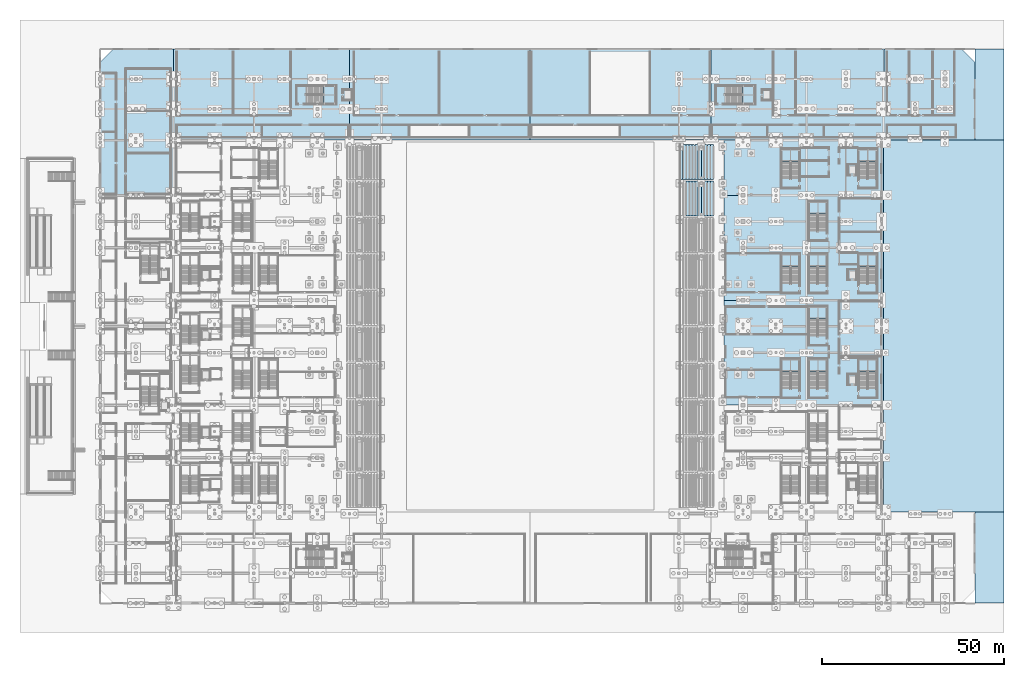
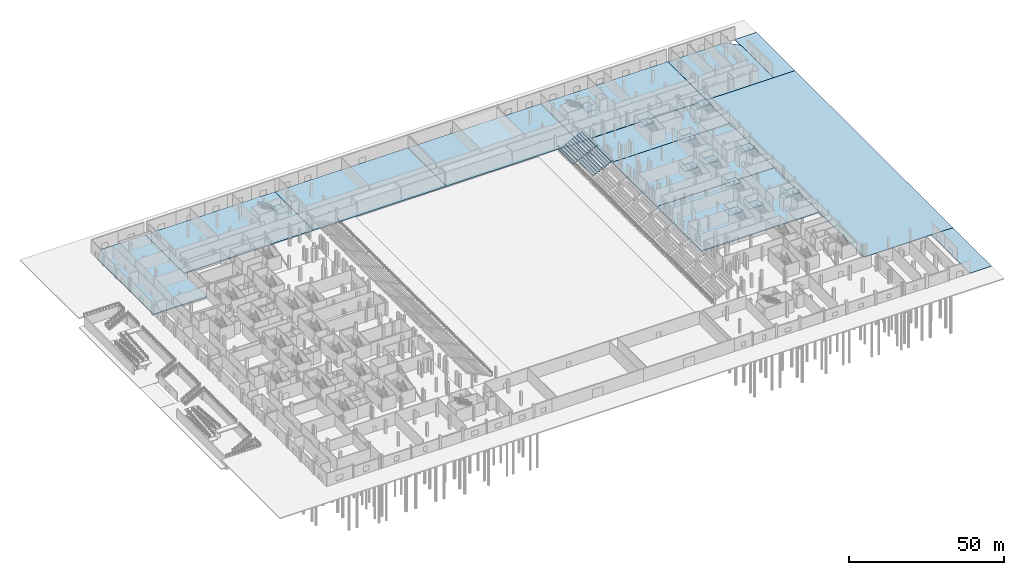
# One storey, part 27 of 89: 44 slabs, 12 elements without a shape of their own.
"""IFC4 building model written with IfcOpenShell, lengths in metres."""

import ifcopenshell
import ifcopenshell.guid

model = None  # the IFC model being written
_history = None  # IfcOwnerHistory: only IFC2X3 demands one
_inside = {}  # id of a spatial element -> (the spatial element, [elements in it])
_under = {}  # id of a project, library or spatial element -> (it, [spatial elements below it])
_declared = {}  # id of a project -> (the project, [libraries it declares])
_typed = {}  # id of a type object -> (the type object, [elements of that type])
_made_of = {}  # id of a material, layer set ... -> (it, [elements and type objects made of it])


def new_model(schema):
    """Start an empty IFC model of exactly this schema.

    Asked for "IFC4X3", IfcOpenShell would pick the latest addendum, in which some entities
    have other attributes; the version numbers below select the first issue.
    IFC2X3 requires an IfcOwnerHistory on every rooted entity: one is made here for all.
    """
    global model, _history
    if schema == "IFC4X3":
        model = ifcopenshell.file(schema_version=(4, 3, 0, 0))
    else:
        model = ifcopenshell.file(schema=schema)
    _inside.clear()
    _under.clear()
    _declared.clear()
    _typed.clear()
    _made_of.clear()
    _history = None
    if model.schema == "IFC2X3":
        org = make("IfcOrganization", Name="unknown")
        user = make(
            "IfcPersonAndOrganization",
            ThePerson=make("IfcPerson", FamilyName="unknown"),
            TheOrganization=org,
        )
        app = make(
            "IfcApplication",
            ApplicationDeveloper=org,
            Version="unknown",
            ApplicationFullName="unknown",
            ApplicationIdentifier="unknown",
        )
        _history = make(
            "IfcOwnerHistory",
            OwningUser=user,
            OwningApplication=app,
            ChangeAction="ADDED",
            CreationDate=0,
        )
    return model


def make(cls, **values):
    """One entity of the class cls with the attributes given. An attribute that is None is left unset."""
    return model.create_entity(
        cls, **{name: value for name, value in values.items() if value is not None}
    )


def rooted(cls, **values):
    """An entity with a GlobalId (a new one), such as an element, a storey or a relation."""
    return make(cls, GlobalId=ifcopenshell.guid.new(), OwnerHistory=_history, **values)


def si_unit(unit_type, name, prefix=None):
    """IfcSIUnit, for example si_unit("LENGTHUNIT", "METRE", prefix="MILLI")."""
    return make("IfcSIUnit", UnitType=unit_type, Prefix=prefix, Name=name)


def assignment(units):
    """IfcUnitAssignment: the units of a project."""
    return None if units is None else make("IfcUnitAssignment", Units=units)


def point(xyz):
    """IfcCartesianPoint."""
    return None if xyz is None else make("IfcCartesianPoint", Coordinates=xyz)


def direction(xyz):
    """IfcDirection."""
    return None if xyz is None else make("IfcDirection", DirectionRatios=xyz)


def frame(location, z_axis=None, x_axis=None):
    """IfcAxis2Placement3D, a coordinate frame: its origin and axes. An axis left out is left unset."""
    return make(
        "IfcAxis2Placement3D",
        Location=point(location),
        Axis=direction(z_axis),
        RefDirection=direction(x_axis),
    )


def origin():
    """The frame at (0, 0, 0) with its axes left unset."""
    return frame((0.0, 0.0, 0.0))


def place(relative_to, where):
    """IfcLocalPlacement: puts the frame where relative to a parent placement (None: the world)."""
    return make(
        "IfcLocalPlacement", PlacementRelTo=relative_to, RelativePlacement=where
    )


def context(
    kind, dimensions, precision=None, world=None, true_north=None, identifier=None
):
    """IfcGeometricRepresentationContext, for example the 3D "Model" context."""
    return make(
        "IfcGeometricRepresentationContext",
        ContextIdentifier=identifier,
        ContextType=kind,
        CoordinateSpaceDimension=dimensions,
        Precision=precision,
        WorldCoordinateSystem=world,
        TrueNorth=true_north,
    )


def subcontext(parent, identifier, kind, view, scale=None):
    """IfcGeometricRepresentationSubContext, for example "Body" below "Model"."""
    return make(
        "IfcGeometricRepresentationSubContext",
        ContextIdentifier=identifier,
        ContextType=kind,
        ParentContext=parent,
        TargetScale=scale,
        TargetView=view,
    )


def project(units=None, contexts=None):
    """IfcProject with its units and contexts."""
    return rooted(
        "IfcProject",
        Name="project",
        RepresentationContexts=contexts,
        UnitsInContext=assignment(units),
    )


def spatial(cls, under=None, at=None, **own):
    """A site, building, storey or space (cls), placed at a placement, below another one or the project."""
    s = rooted(cls, ObjectPlacement=at, **own)
    if under is not None:
        _under.setdefault(under.id(), (under, []))[1].append(s)
    return s


def polyline(points):
    """IfcPolyline through the points."""
    return make("IfcPolyline", Points=[point(p) for p in points])


def outline(outer, holes=None, kind="AREA"):
    """IfcArbitraryClosedProfileDef: a profile drawn as a closed curve; with holes, ...WithVoids."""
    if holes is None:
        return make("IfcArbitraryClosedProfileDef", ProfileType=kind, OuterCurve=outer)
    return make(
        "IfcArbitraryProfileDefWithVoids",
        ProfileType=kind,
        OuterCurve=outer,
        InnerCurves=holes,
    )


def extrude(swept, where, along, depth):
    """IfcExtrudedAreaSolid: the profile swept, set in the frame where, extruded along a direction by depth."""
    return make(
        "IfcExtrudedAreaSolid",
        SweptArea=swept,
        Position=where,
        ExtrudedDirection=direction(along),
        Depth=depth,
    )


def shape(context_of_items, identifier, shape_type, items):
    """IfcShapeRepresentation: the items that make up one representation, for example the "Body"."""
    return make(
        "IfcShapeRepresentation",
        ContextOfItems=context_of_items,
        RepresentationIdentifier=identifier,
        RepresentationType=shape_type,
        Items=items,
    )


def material(Name=None, Category=None):
    """IfcMaterial."""
    return make("IfcMaterial", Name=Name, Category=Category)


def layer(
    of_material, thickness, ventilated=None, Name=None, Category=None, Priority=None
):
    """IfcMaterialLayer: one layer of a wall or slab, of a material (None: an air gap)."""
    return make(
        "IfcMaterialLayer",
        Material=of_material,
        LayerThickness=thickness,
        IsVentilated=ventilated,
        Name=Name,
        Category=Category,
        Priority=Priority,
    )


def layer_set(layers, Name=None):
    """IfcMaterialLayerSet."""
    return make("IfcMaterialLayerSet", MaterialLayers=layers, LayerSetName=Name)


def made_of(thing, what):
    """Note that an element or type object is made of a material, layer set ...; save() writes the relation."""
    if what is not None:
        _made_of.setdefault(what.id(), (what, []))[1].append(thing)
    return thing


def type_object(cls, material=None, **own):
    """A type object (cls), such as IfcWallType, which elements share."""
    return made_of(rooted(cls, **own), material)


def element(
    cls,
    number,
    at=None,
    inside=None,
    cuts=None,
    type_object=None,
    material=None,
    context=None,
    identifier="Body",
    shape_type=None,
    held_by="IfcProductDefinitionShape",
    body=None,
    shapes=None,
    **own,
):
    """One element of the class cls, such as IfcWall. Its Tag is "e" and its number.

    at: its placement. inside: the storey or other place that contains it. cuts: it is an
    opening in that element (IfcRelVoidsElement). A single representation is given by context,
    identifier, shape_type and body (its items); several are given by shapes. held_by: the class
    of the entity that holds the representations. save() writes the other relations.
    """
    e = rooted(cls, Tag="e%d" % number, ObjectPlacement=at, **own)
    if body is not None:
        shapes = [shape(context, identifier, shape_type, body)]
    if shapes is not None:
        e.Representation = make(held_by, Representations=shapes)
    if inside is not None:
        _inside.setdefault(inside.id(), (inside, []))[1].append(e)
    if cuts is not None:
        rooted(
            "IfcRelVoidsElement", RelatingBuildingElement=cuts, RelatedOpeningElement=e
        )
    if type_object is not None:
        _typed.setdefault(type_object.id(), (type_object, []))[1].append(e)
    return made_of(e, material)


def aggregate(whole, parts):
    """IfcRelAggregates: a whole, such as a stair, and the parts it consists of."""
    return rooted("IfcRelAggregates", RelatingObject=whole, RelatedObjects=parts)


def save(model, path):
    """Write the relations noted so far, then the file.

    IfcRelAggregates (storeys below a building ...), IfcRelContainedInSpatialStructure (elements
    in a storey), IfcRelDefinesByType, IfcRelAssociatesMaterial and IfcRelDeclares: one each for
    every whole, place, type object, material and project.
    """
    for whole, parts in _under.values():
        aggregate(whole, parts)
    for where, things in _inside.values():
        rooted(
            "IfcRelContainedInSpatialStructure",
            RelatedElements=things,
            RelatingStructure=where,
        )
    for kind, things in _typed.values():
        rooted("IfcRelDefinesByType", RelatedObjects=things, RelatingType=kind)
    for what, things in _made_of.values():
        rooted("IfcRelAssociatesMaterial", RelatedObjects=things, RelatingMaterial=what)
    for by, libraries in _declared.values():
        rooted("IfcRelDeclares", RelatingContext=by, RelatedDefinitions=libraries)
    model.write(path)


model = new_model("IFC4")

# Units and contexts
model_context = context("Model", 3, precision=1e-05, world=origin(), true_north=direction((0.0, 1.0)))
body_context = subcontext(model_context, "Body", "Model", "MODEL_VIEW")
ifc_project = project(units=[si_unit("LENGTHUNIT", "METRE"), si_unit("AREAUNIT", "SQUARE_METRE"), si_unit("VOLUMEUNIT", "CUBIC_METRE"), si_unit("PLANEANGLEUNIT", "RADIAN"), si_unit("MASSUNIT", "GRAM", prefix="KILO")], contexts=[model_context])

# Site, building, storey
site_placement = place(None, origin())
site = spatial("IfcSite", under=ifc_project, at=site_placement, CompositionType="ELEMENT")
building_placement = place(site_placement, origin())
building = spatial("IfcBuilding", under=site, at=building_placement, Name="Koshinbarg Plaza Stadium", CompositionType="ELEMENT")
storey_placement = place(building_placement, origin())
storey = spatial("IfcBuildingStorey", under=building, at=storey_placement, Name="L00", CompositionType="ELEMENT", Elevation=0.0)

# Slabs
ifc_material_1 = material(Name="Concrete C35/45", Category="concrete")
ifc_layer_1 = layer(ifc_material_1, 0.39990234375)
ifc_layer_set_1 = layer_set([ifc_layer_1], Name="Concrete C35/45")
slab_type_1 = type_object("IfcSlabType", Name="SL-BASE-400", PredefinedType="BASESLAB", material=ifc_layer_set_1)
slab_1_placement = place(storey_placement, frame((0.0, 0.0, -0.39990234375)))
element("IfcSlab", 1, at=slab_1_placement, inside=storey, type_object=slab_type_1, Name="L00 V3 structural slab 9", PredefinedType="BASESLAB", context=body_context, shape_type="SweptSolid", body=[
    extrude(outline(polyline([(24.14501953125, 127.044921875), (72.39990234375, 127.044921875), (72.39990234375, 152.0), (24.14501953125, 152.0), (24.14501953125, 127.044921875)])), origin(), (0.0, 0.0, 1.0), 0.39990234375),
])
slab_2_placement = place(storey_placement, frame((0.0, 0.0, -0.39990234375)))
element("IfcSlab", 2, at=slab_2_placement, inside=storey, type_object=slab_type_1, Name="L00 V3 structural slab 10", PredefinedType="BASESLAB", context=body_context, shape_type="SweptSolid", body=[
    extrude(outline(polyline([(72.39990234375, 127.044921875), (122.0, 127.044921875), (122.0, 152.0), (72.39990234375, 152.0), (72.39990234375, 127.044921875)])), origin(), (0.0, 0.0, 1.0), 0.39990234375),
])
slab_3_placement = place(storey_placement, frame((0.0, 0.0, -0.39990234375)))
element("IfcSlab", 3, at=slab_3_placement, inside=storey, type_object=slab_type_1, Name="L00 V3 structural slab 11", PredefinedType="BASESLAB", context=body_context, shape_type="SweptSolid", body=[
    extrude(outline(polyline([(122.0, 127.044921875), (171.60009765625, 127.044921875), (171.60009765625, 152.0), (122.0, 152.0), (122.0, 127.044921875)])), origin(), (0.0, 0.0, 1.0), 0.39990234375),
])
slab_4_placement = place(storey_placement, frame((0.0, 0.0, -0.39990234375)))
element("IfcSlab", 4, at=slab_4_placement, inside=storey, type_object=slab_type_1, Name="L00 V3 structural slab 12", PredefinedType="BASESLAB", context=body_context, shape_type="SweptSolid", body=[
    extrude(outline(polyline([(171.60009765625, 127.044921875), (218.955078125, 127.044921875), (218.955078125, 152.0), (171.60009765625, 152.0), (171.60009765625, 127.044921875)])), origin(), (0.0, 0.0, 1.0), 0.39990234375),
])
slab_5_placement = place(storey_placement, frame((0.0, 0.0, -0.39990234375)))
element("IfcSlab", 5, at=slab_5_placement, inside=storey, type_object=slab_type_1, Name="L00 V3 structural slab 13", PredefinedType="BASESLAB", context=body_context, shape_type="SweptSolid", body=[
    extrude(outline(polyline([(219.044921875, 127.044921875), (244.0, 127.044921875), (244.0, 148.39990234375), (240.39990234375, 152.0), (219.044921875, 152.0), (219.044921875, 127.044921875)])), origin(), (0.0, 0.0, 1.0), 0.39990234375),
])
slab_6_placement = place(storey_placement, frame((0.0, 0.0, -0.39990234375)))
element("IfcSlab", 6, at=slab_6_placement, inside=storey, type_object=slab_type_1, Name="L00 V5 structural slab 20", PredefinedType="BASESLAB", context=body_context, shape_type="SweptSolid", body=[
    extrude(outline(polyline([(4.0, 111.89990234375), (24.054931640625, 111.89990234375), (24.054931640625, 152.0), (7.60009765625, 152.0), (4.0, 148.39990234375), (4.0, 111.89990234375)])), origin(), (0.0, 0.0, 1.0), 0.39990234375),
])
ifc_layer_2 = layer(ifc_material_1, 0.449951171875)
ifc_layer_set_2 = layer_set([ifc_layer_2], Name="Concrete C35/45")
slab_type_2 = type_object("IfcSlabType", Name="SL-BASE-450", PredefinedType="BASESLAB", material=ifc_layer_set_2)
slab_7_placement = place(storey_placement, frame((0.0, 0.0, -0.39990234375)))
element("IfcSlab", 7, at=slab_7_placement, inside=storey, type_object=slab_type_2, Name="L00 V2 structural slab 6", PredefinedType="BASESLAB", context=body_context, shape_type="SweptSolid", body=[
    extrude(outline(polyline([(175.199951171875, 54.300048828125), (218.955078125, 54.300048828125), (218.955078125, 83.10009765625), (175.199951171875, 83.10009765625), (175.199951171875, 54.300048828125)])), origin(), (0.0, 0.0, 1.0), 0.39990234375),
])
slab_8_placement = place(storey_placement, frame((0.0, 0.0, -0.39990234375)))
element("IfcSlab", 8, at=slab_8_placement, inside=storey, type_object=slab_type_2, Name="L00 V2 structural slab 7", PredefinedType="BASESLAB", context=body_context, shape_type="SweptSolid", body=[
    extrude(outline(polyline([(175.199951171875, 83.10009765625), (218.955078125, 83.10009765625), (218.955078125, 111.89990234375), (175.199951171875, 111.89990234375), (175.199951171875, 83.10009765625)])), origin(), (0.0, 0.0, 1.0), 0.39990234375),
])
slab_9_placement = place(storey_placement, frame((0.0, 0.0, -0.39990234375)))
element("IfcSlab", 9, at=slab_9_placement, inside=storey, type_object=slab_type_2, Name="L00 V2 structural slab 8", PredefinedType="BASESLAB", context=body_context, shape_type="SweptSolid", body=[
    extrude(outline(polyline([(175.199951171875, 111.89990234375), (218.955078125, 111.89990234375), (218.955078125, 126.955078125), (175.199951171875, 126.955078125), (175.199951171875, 111.89990234375)])), origin(), (0.0, 0.0, 1.0), 0.39990234375),
])
ifc_material_2 = material(Name="Basalt stone plaza paving", Category="masonry")
ifc_layer_3 = layer(ifc_material_2, 0.25)
ifc_layer_set_3 = layer_set([ifc_layer_3], Name="Basalt stone plaza paving")
slab_type_3 = type_object("IfcSlabType", Name="SL-PAVING-250", PredefinedType="FLOOR", material=ifc_layer_set_3)
slab_10_placement = place(storey_placement, frame((0.0, 0.0, -0.25)))
element("IfcSlab", 10, at=slab_10_placement, inside=storey, type_object=slab_type_3, Name="Exterior plaza paving PV-EAST-PLAZA", PredefinedType="FLOOR", context=body_context, shape_type="SweptSolid", body=[
    extrude(outline(polyline([(218.955078125, 24.955078125), (252.0, 24.955078125), (252.0, 127.044921875), (218.955078125, 127.044921875), (218.955078125, 24.955078125)])), origin(), (0.0, 0.0, 1.0), 0.25),
])
slab_11_placement = place(storey_placement, frame((0.0, 0.0, -0.25)))
element("IfcSlab", 11, at=slab_11_placement, inside=storey, type_object=slab_type_3, Name="Exterior plaza paving PV-EAST-EDGE-S", PredefinedType="FLOOR", context=body_context, shape_type="SweptSolid", body=[
    extrude(outline(polyline([(244.0, 0.0), (252.0, 0.0), (252.0, 24.955078125), (244.0, 24.955078125), (244.0, 0.0)])), origin(), (0.0, 0.0, 1.0), 0.25),
])
slab_12_placement = place(storey_placement, frame((0.0, 0.0, -0.25)))
element("IfcSlab", 12, at=slab_12_placement, inside=storey, type_object=slab_type_3, Name="Exterior plaza paving PV-EAST-EDGE-N", PredefinedType="FLOOR", context=body_context, shape_type="SweptSolid", body=[
    extrude(outline(polyline([(244.0, 127.044921875), (252.0, 127.044921875), (252.0, 152.0), (244.0, 152.0), (244.0, 127.044921875)])), origin(), (0.0, 0.0, 1.0), 0.25),
])

# Stair, slab
stair_type_1 = type_object("IfcStairType", Name="ST-CORE-54", PredefinedType="HALF_TURN_STAIR", material=ifc_material_1)
stair_1_placement = place(storey_placement, origin())
stair_1 = element("IfcStair", 13, at=stair_1_placement, inside=storey, type_object=stair_type_1, Name="L00 Protected Exit Stair C08", PredefinedType="HALF_TURN_STAIR")
ifc_layer_4 = layer(ifc_material_1, 0.320068359375)
ifc_layer_set_4 = layer_set([ifc_layer_4], Name="Concrete C35/45")
slab_type_4 = type_object("IfcSlabType", Name="SL-STLAND-280", PredefinedType="LANDING", material=ifc_layer_set_4)
slab_13_placement = place(storey_placement, frame((0.0, 0.0, 2.3798828125)))
slab_13 = element("IfcSlab", 14, at=slab_13_placement, type_object=slab_type_4, Name="L00 Protected Exit Stair C08 landing 042", PredefinedType="LANDING", context=body_context, shape_type="SweptSolid", body=[
    extrude(outline(polyline([(217.070068359375, 63.56005859375), (217.070068359375, 67.0), (212.199951171875, 67.0), (212.199951171875, 63.56005859375), (217.070068359375, 63.56005859375)])), origin(), (0.0, 0.0, 1.0), 0.320068359375),
])
aggregate(stair_1, [slab_13])

stair_2_placement = place(storey_placement, origin())
stair_2 = element("IfcStair", 15, at=stair_2_placement, inside=storey, type_object=stair_type_1, Name="L00 Protected Exit Stair C09", PredefinedType="HALF_TURN_STAIR")
slab_14_placement = place(storey_placement, frame((0.0, 0.0, 2.3798828125)))
slab_14 = element("IfcSlab", 16, at=slab_14_placement, type_object=slab_type_4, Name="L00 Protected Exit Stair C09 landing 047", PredefinedType="LANDING", context=body_context, shape_type="SweptSolid", body=[
    extrude(outline(polyline([(217.070068359375, 92.360107421875), (217.070068359375, 95.800048828125), (212.199951171875, 95.800048828125), (212.199951171875, 92.360107421875), (217.070068359375, 92.360107421875)])), origin(), (0.0, 0.0, 1.0), 0.320068359375),
])
aggregate(stair_2, [slab_14])

stair_3_placement = place(storey_placement, origin())
stair_3 = element("IfcStair", 17, at=stair_3_placement, inside=storey, type_object=stair_type_1, Name="L00 Protected Exit Stair C10", PredefinedType="HALF_TURN_STAIR")
slab_15_placement = place(storey_placement, frame((0.0, 0.0, 2.3798828125)))
slab_15 = element("IfcSlab", 18, at=slab_15_placement, type_object=slab_type_4, Name="L00 Protected Exit Stair C10 landing 052", PredefinedType="LANDING", context=body_context, shape_type="SweptSolid", body=[
    extrude(outline(polyline([(217.070068359375, 121.159912109375), (217.070068359375, 124.60009765625), (212.199951171875, 124.60009765625), (212.199951171875, 121.159912109375), (217.070068359375, 121.159912109375)])), origin(), (0.0, 0.0, 1.0), 0.320068359375),
])
aggregate(stair_3, [slab_15])

stair_4_placement = place(storey_placement, origin())
stair_4 = element("IfcStair", 19, at=stair_4_placement, inside=storey, type_object=stair_type_1, Name="L00 Protected Exit Stair C11", PredefinedType="HALF_TURN_STAIR")
slab_16_placement = place(storey_placement, frame((0.0, 0.0, 2.3798828125)))
slab_16 = element("IfcSlab", 20, at=slab_16_placement, type_object=slab_type_4, Name="L00 Protected Exit Stair C11 landing 057", PredefinedType="LANDING", context=body_context, shape_type="SweptSolid", body=[
    extrude(outline(polyline([(65.159912109375, 137.0), (68.60009765625, 137.0), (68.60009765625, 141.8701171875), (65.159912109375, 141.8701171875), (65.159912109375, 137.0)])), origin(), (0.0, 0.0, 1.0), 0.320068359375),
])
aggregate(stair_4, [slab_16])

stair_5_placement = place(storey_placement, origin())
stair_5 = element("IfcStair", 21, at=stair_5_placement, inside=storey, type_object=stair_type_1, Name="L00 Protected Exit Stair C12", PredefinedType="HALF_TURN_STAIR")
slab_17_placement = place(storey_placement, frame((0.0, 0.0, 2.3798828125)))
slab_17 = element("IfcSlab", 22, at=slab_17_placement, type_object=slab_type_4, Name="L00 Protected Exit Stair C12 landing 060", PredefinedType="LANDING", context=body_context, shape_type="SweptSolid", body=[
    extrude(outline(polyline([(180.159912109375, 137.0), (183.60009765625, 137.0), (183.60009765625, 141.8701171875), (180.159912109375, 141.8701171875), (180.159912109375, 137.0)])), origin(), (0.0, 0.0, 1.0), 0.320068359375),
])
aggregate(stair_5, [slab_17])

stair_type_2 = type_object("IfcStairType", Name="ST-VOM-54", PredefinedType="HALF_TURN_STAIR", material=ifc_material_1)
stair_6_placement = place(storey_placement, origin())
stair_6 = element("IfcStair", 23, at=stair_6_placement, inside=storey, type_object=stair_type_2, Name="L00 Upper Vomitory Stair VX09", PredefinedType="HALF_TURN_STAIR")
slab_18_placement = place(storey_placement, frame((0.0, 0.0, 2.3798828125)))
slab_18 = element("IfcSlab", 24, at=slab_18_placement, type_object=slab_type_4, Name="L00 Upper Vomitory Stair VX09 landing 099", PredefinedType="LANDING", context=body_context, shape_type="SweptSolid", body=[
    extrude(outline(polyline([(203.3701171875, 63.56005859375), (203.3701171875, 67.0), (198.5, 67.0), (198.5, 63.56005859375), (203.3701171875, 63.56005859375)])), origin(), (0.0, 0.0, 1.0), 0.320068359375),
])
aggregate(stair_6, [slab_18])

stair_7_placement = place(storey_placement, origin())
stair_7 = element("IfcStair", 25, at=stair_7_placement, inside=storey, type_object=stair_type_2, Name="L00 Upper Vomitory Stair VX10", PredefinedType="HALF_TURN_STAIR")
slab_19_placement = place(storey_placement, frame((0.0, 0.0, 2.3798828125)))
slab_19 = element("IfcSlab", 26, at=slab_19_placement, type_object=slab_type_4, Name="L00 Upper Vomitory Stair VX10 landing 102", PredefinedType="LANDING", context=body_context, shape_type="SweptSolid", body=[
    extrude(outline(polyline([(203.3701171875, 77.9599609375), (203.3701171875, 81.39990234375), (198.5, 81.39990234375), (198.5, 77.9599609375), (203.3701171875, 77.9599609375)])), origin(), (0.0, 0.0, 1.0), 0.320068359375),
])
aggregate(stair_7, [slab_19])

stair_8_placement = place(storey_placement, origin())
stair_8 = element("IfcStair", 27, at=stair_8_placement, inside=storey, type_object=stair_type_2, Name="L00 Upper Vomitory Stair VX11", PredefinedType="HALF_TURN_STAIR")
slab_20_placement = place(storey_placement, frame((0.0, 0.0, 2.3798828125)))
slab_20 = element("IfcSlab", 28, at=slab_20_placement, type_object=slab_type_4, Name="L00 Upper Vomitory Stair VX11 landing 105", PredefinedType="LANDING", context=body_context, shape_type="SweptSolid", body=[
    extrude(outline(polyline([(203.3701171875, 92.360107421875), (203.3701171875, 95.800048828125), (198.5, 95.800048828125), (198.5, 92.360107421875), (203.3701171875, 92.360107421875)])), origin(), (0.0, 0.0, 1.0), 0.320068359375),
])
aggregate(stair_8, [slab_20])

stair_9_placement = place(storey_placement, origin())
stair_9 = element("IfcStair", 29, at=stair_9_placement, inside=storey, type_object=stair_type_2, Name="L00 Upper Vomitory Stair VX12", PredefinedType="HALF_TURN_STAIR")
slab_21_placement = place(storey_placement, frame((0.0, 0.0, 2.3798828125)))
slab_21 = element("IfcSlab", 30, at=slab_21_placement, type_object=slab_type_4, Name="L00 Upper Vomitory Stair VX12 landing 108", PredefinedType="LANDING", context=body_context, shape_type="SweptSolid", body=[
    extrude(outline(polyline([(203.3701171875, 106.760009765625), (203.3701171875, 110.199951171875), (198.5, 110.199951171875), (198.5, 106.760009765625), (203.3701171875, 106.760009765625)])), origin(), (0.0, 0.0, 1.0), 0.320068359375),
])
aggregate(stair_9, [slab_21])

stair_10_placement = place(storey_placement, origin())
stair_10 = element("IfcStair", 31, at=stair_10_placement, inside=storey, type_object=stair_type_2, Name="L00 Lower Vomitory Stair VL06", PredefinedType="HALF_TURN_STAIR")
slab_22_placement = place(storey_placement, frame((0.0, 0.0, 2.3798828125)))
slab_22 = element("IfcSlab", 32, at=slab_22_placement, type_object=slab_type_4, Name="L00 Lower Vomitory Stair VL06 landing 116", PredefinedType="LANDING", context=body_context, shape_type="SweptSolid", body=[
    extrude(outline(polyline([(195.8701171875, 63.56005859375), (195.8701171875, 67.0), (191.0, 67.0), (191.0, 63.56005859375), (195.8701171875, 63.56005859375)])), origin(), (0.0, 0.0, 1.0), 0.320068359375),
])
aggregate(stair_10, [slab_22])

stair_11_placement = place(storey_placement, origin())
stair_11 = element("IfcStair", 33, at=stair_11_placement, inside=storey, type_object=stair_type_2, Name="L00 Lower Vomitory Stair VL07", PredefinedType="HALF_TURN_STAIR")
slab_23_placement = place(storey_placement, frame((0.0, 0.0, 2.3798828125)))
slab_23 = element("IfcSlab", 34, at=slab_23_placement, type_object=slab_type_4, Name="L00 Lower Vomitory Stair VL07 landing 117", PredefinedType="LANDING", context=body_context, shape_type="SweptSolid", body=[
    extrude(outline(polyline([(195.8701171875, 92.360107421875), (195.8701171875, 95.800048828125), (191.0, 95.800048828125), (191.0, 92.360107421875), (195.8701171875, 92.360107421875)])), origin(), (0.0, 0.0, 1.0), 0.320068359375),
])
aggregate(stair_11, [slab_23])

stair_12_placement = place(storey_placement, origin())
stair_12 = element("IfcStair", 35, at=stair_12_placement, inside=storey, type_object=stair_type_2, Name="L00 Lower Vomitory Stair VL08", PredefinedType="HALF_TURN_STAIR")
slab_24_placement = place(storey_placement, frame((0.0, 0.0, 2.3798828125)))
slab_24 = element("IfcSlab", 36, at=slab_24_placement, type_object=slab_type_4, Name="L00 Lower Vomitory Stair VL08 landing 118", PredefinedType="LANDING", context=body_context, shape_type="SweptSolid", body=[
    extrude(outline(polyline([(195.8701171875, 121.159912109375), (195.8701171875, 124.60009765625), (191.0, 124.60009765625), (191.0, 121.159912109375), (195.8701171875, 121.159912109375)])), origin(), (0.0, 0.0, 1.0), 0.320068359375),
])
aggregate(stair_12, [slab_24])

# Slabs
ifc_material_3 = material(Name="Precast concrete C40/50", Category="concrete")
ifc_layer_5 = layer(ifc_material_3, 0.219970703125)
ifc_layer_set_5 = layer_set([ifc_layer_5], Name="Precast concrete C40/50")
slab_type_5 = type_object("IfcSlabType", Name="SL-TIER-LT", PredefinedType="USERDEFINED", material=ifc_layer_set_5)
slab_25_placement = place(storey_placement, frame((0.0, 0.0, 1.639892578125)))
element("IfcSlab", 37, at=slab_25_placement, inside=storey, type_object=slab_type_5, Name="Stand lower seating tier LT-E09 row 3", ObjectType="SEATING TIER", PredefinedType="USERDEFINED", context=body_context, shape_type="SweptSolid", body=[
    extrude(outline(polyline([(164.699951171875, 106.199951171875), (165.550048828125, 106.199951171875), (165.550048828125, 115.800048828125), (164.699951171875, 115.800048828125), (164.699951171875, 106.199951171875)])), origin(), (0.0, 0.0, 1.0), 0.22021484375),
])
slab_26_placement = place(storey_placement, frame((0.0, 0.0, 2.06005859375)))
element("IfcSlab", 38, at=slab_26_placement, inside=storey, type_object=slab_type_5, Name="Stand lower seating tier LT-E09 row 4", ObjectType="SEATING TIER", PredefinedType="USERDEFINED", context=body_context, shape_type="SweptSolid", body=[
    extrude(outline(polyline([(165.550048828125, 106.199951171875), (166.39990234375, 106.199951171875), (166.39990234375, 115.800048828125), (165.550048828125, 115.800048828125), (165.550048828125, 106.199951171875)])), origin(), (0.0, 0.0, 1.0), 0.219970703125),
])
slab_27_placement = place(storey_placement, frame((0.0, 0.0, 2.47998046875)))
element("IfcSlab", 39, at=slab_27_placement, inside=storey, type_object=slab_type_5, Name="Stand lower seating tier LT-E09 row 5", ObjectType="SEATING TIER", PredefinedType="USERDEFINED", context=body_context, shape_type="SweptSolid", body=[
    extrude(outline(polyline([(166.39990234375, 106.199951171875), (167.25, 106.199951171875), (167.25, 115.800048828125), (166.39990234375, 115.800048828125), (166.39990234375, 106.199951171875)])), origin(), (0.0, 0.0, 1.0), 0.219970703125),
])
slab_28_placement = place(storey_placement, frame((0.0, 0.0, 2.89990234375)))
element("IfcSlab", 40, at=slab_28_placement, inside=storey, type_object=slab_type_5, Name="Stand lower seating tier LT-E09 row 6", ObjectType="SEATING TIER", PredefinedType="USERDEFINED", context=body_context, shape_type="SweptSolid", body=[
    extrude(outline(polyline([(167.25, 106.199951171875), (168.10009765625, 106.199951171875), (168.10009765625, 115.800048828125), (167.25, 115.800048828125), (167.25, 106.199951171875)])), origin(), (0.0, 0.0, 1.0), 0.22021484375),
])
slab_29_placement = place(storey_placement, frame((0.0, 0.0, 3.320068359375)))
element("IfcSlab", 41, at=slab_29_placement, inside=storey, type_object=slab_type_5, Name="Stand lower seating tier LT-E09 row 7", ObjectType="SEATING TIER", PredefinedType="USERDEFINED", context=body_context, shape_type="SweptSolid", body=[
    extrude(outline(polyline([(168.10009765625, 106.199951171875), (168.949951171875, 106.199951171875), (168.949951171875, 115.800048828125), (168.10009765625, 115.800048828125), (168.10009765625, 106.199951171875)])), origin(), (0.0, 0.0, 1.0), 0.219970703125),
])
slab_30_placement = place(storey_placement, frame((0.0, 0.0, 3.739990234375)))
element("IfcSlab", 42, at=slab_30_placement, inside=storey, type_object=slab_type_5, Name="Stand lower seating tier LT-E09 row 8", ObjectType="SEATING TIER", PredefinedType="USERDEFINED", context=body_context, shape_type="SweptSolid", body=[
    extrude(outline(polyline([(168.949951171875, 106.199951171875), (169.800048828125, 106.199951171875), (169.800048828125, 115.800048828125), (168.949951171875, 115.800048828125), (168.949951171875, 106.199951171875)])), origin(), (0.0, 0.0, 1.0), 0.219970703125),
])
slab_31_placement = place(storey_placement, frame((0.0, 0.0, 4.159912109375)))
element("IfcSlab", 43, at=slab_31_placement, inside=storey, type_object=slab_type_5, Name="Stand lower seating tier LT-E09 row 9", ObjectType="SEATING TIER", PredefinedType="USERDEFINED", context=body_context, shape_type="SweptSolid", body=[
    extrude(outline(polyline([(169.800048828125, 106.199951171875), (170.64990234375, 106.199951171875), (170.64990234375, 115.800048828125), (169.800048828125, 115.800048828125), (169.800048828125, 106.199951171875)])), origin(), (0.0, 0.0, 1.0), 0.219970703125),
])
slab_32_placement = place(storey_placement, frame((0.0, 0.0, 4.580078125)))
element("IfcSlab", 44, at=slab_32_placement, inside=storey, type_object=slab_type_5, Name="Stand lower seating tier LT-E09 row 10", ObjectType="SEATING TIER", PredefinedType="USERDEFINED", context=body_context, shape_type="SweptSolid", body=[
    extrude(outline(polyline([(170.64990234375, 106.199951171875), (171.5, 106.199951171875), (171.5, 115.800048828125), (170.64990234375, 115.800048828125), (170.64990234375, 106.199951171875)])), origin(), (0.0, 0.0, 1.0), 0.219970703125),
])
slab_33_placement = place(storey_placement, frame((0.0, 0.0, 5.0)))
element("IfcSlab", 45, at=slab_33_placement, inside=storey, type_object=slab_type_5, Name="Stand lower seating tier LT-E09 row 11", ObjectType="SEATING TIER", PredefinedType="USERDEFINED", context=body_context, shape_type="SweptSolid", body=[
    extrude(outline(polyline([(171.5, 106.199951171875), (172.35009765625, 106.199951171875), (172.35009765625, 115.800048828125), (171.5, 115.800048828125), (171.5, 106.199951171875)])), origin(), (0.0, 0.0, 1.0), 0.219970703125),
])
slab_34_placement = place(storey_placement, frame((0.0, 0.0, 0.800048828125)))
element("IfcSlab", 46, at=slab_34_placement, inside=storey, type_object=slab_type_5, Name="Stand lower seating tier LT-E10 row 1", ObjectType="SEATING TIER", PredefinedType="USERDEFINED", context=body_context, shape_type="SweptSolid", body=[
    extrude(outline(polyline([(163.0, 116.199951171875), (163.85009765625, 116.199951171875), (163.85009765625, 125.449951171875), (163.5, 125.800048828125), (163.0, 125.800048828125), (163.0, 116.199951171875)])), origin(), (0.0, 0.0, 1.0), 0.219970703125),
])
slab_35_placement = place(storey_placement, frame((0.0, 0.0, 1.219970703125)))
element("IfcSlab", 47, at=slab_35_placement, inside=storey, type_object=slab_type_5, Name="Stand lower seating tier LT-E10 row 2", ObjectType="SEATING TIER", PredefinedType="USERDEFINED", context=body_context, shape_type="SweptSolid", body=[
    extrude(outline(polyline([(163.85009765625, 116.199951171875), (164.699951171875, 116.199951171875), (164.699951171875, 125.800048828125), (163.85009765625, 125.800048828125), (163.85009765625, 116.199951171875)])), origin(), (0.0, 0.0, 1.0), 0.219970703125),
])
slab_36_placement = place(storey_placement, frame((0.0, 0.0, 1.639892578125)))
element("IfcSlab", 48, at=slab_36_placement, inside=storey, type_object=slab_type_5, Name="Stand lower seating tier LT-E10 row 3", ObjectType="SEATING TIER", PredefinedType="USERDEFINED", context=body_context, shape_type="SweptSolid", body=[
    extrude(outline(polyline([(164.699951171875, 116.199951171875), (165.550048828125, 116.199951171875), (165.550048828125, 125.800048828125), (164.699951171875, 125.800048828125), (164.699951171875, 116.199951171875)])), origin(), (0.0, 0.0, 1.0), 0.22021484375),
])
slab_37_placement = place(storey_placement, frame((0.0, 0.0, 2.06005859375)))
element("IfcSlab", 49, at=slab_37_placement, inside=storey, type_object=slab_type_5, Name="Stand lower seating tier LT-E10 row 4", ObjectType="SEATING TIER", PredefinedType="USERDEFINED", context=body_context, shape_type="SweptSolid", body=[
    extrude(outline(polyline([(165.550048828125, 116.199951171875), (166.39990234375, 116.199951171875), (166.39990234375, 125.800048828125), (165.550048828125, 125.800048828125), (165.550048828125, 116.199951171875)])), origin(), (0.0, 0.0, 1.0), 0.219970703125),
])
slab_38_placement = place(storey_placement, frame((0.0, 0.0, 2.47998046875)))
element("IfcSlab", 50, at=slab_38_placement, inside=storey, type_object=slab_type_5, Name="Stand lower seating tier LT-E10 row 5", ObjectType="SEATING TIER", PredefinedType="USERDEFINED", context=body_context, shape_type="SweptSolid", body=[
    extrude(outline(polyline([(166.39990234375, 116.199951171875), (167.25, 116.199951171875), (167.25, 125.449951171875), (166.89990234375, 125.800048828125), (166.39990234375, 125.800048828125), (166.39990234375, 116.199951171875)])), origin(), (0.0, 0.0, 1.0), 0.219970703125),
])
slab_39_placement = place(storey_placement, frame((0.0, 0.0, 2.89990234375)))
element("IfcSlab", 51, at=slab_39_placement, inside=storey, type_object=slab_type_5, Name="Stand lower seating tier LT-E10 row 6", ObjectType="SEATING TIER", PredefinedType="USERDEFINED", context=body_context, shape_type="SweptSolid", body=[
    extrude(outline(polyline([(167.25, 116.199951171875), (168.10009765625, 116.199951171875), (168.10009765625, 125.800048828125), (167.25, 125.800048828125), (167.25, 116.199951171875)])), origin(), (0.0, 0.0, 1.0), 0.22021484375),
])
slab_40_placement = place(storey_placement, frame((0.0, 0.0, 3.320068359375)))
element("IfcSlab", 52, at=slab_40_placement, inside=storey, type_object=slab_type_5, Name="Stand lower seating tier LT-E10 row 7", ObjectType="SEATING TIER", PredefinedType="USERDEFINED", context=body_context, shape_type="SweptSolid", body=[
    extrude(outline(polyline([(168.10009765625, 116.199951171875), (168.949951171875, 116.199951171875), (168.949951171875, 125.800048828125), (168.10009765625, 125.800048828125), (168.10009765625, 116.199951171875)])), origin(), (0.0, 0.0, 1.0), 0.219970703125),
])
slab_41_placement = place(storey_placement, frame((0.0, 0.0, 3.739990234375)))
element("IfcSlab", 53, at=slab_41_placement, inside=storey, type_object=slab_type_5, Name="Stand lower seating tier LT-E10 row 8", ObjectType="SEATING TIER", PredefinedType="USERDEFINED", context=body_context, shape_type="SweptSolid", body=[
    extrude(outline(polyline([(168.949951171875, 116.199951171875), (169.800048828125, 116.199951171875), (169.800048828125, 125.800048828125), (168.949951171875, 125.800048828125), (168.949951171875, 116.199951171875)])), origin(), (0.0, 0.0, 1.0), 0.219970703125),
])
slab_42_placement = place(storey_placement, frame((0.0, 0.0, 4.159912109375)))
element("IfcSlab", 54, at=slab_42_placement, inside=storey, type_object=slab_type_5, Name="Stand lower seating tier LT-E10 row 9", ObjectType="SEATING TIER", PredefinedType="USERDEFINED", context=body_context, shape_type="SweptSolid", body=[
    extrude(outline(polyline([(169.800048828125, 116.199951171875), (170.64990234375, 116.199951171875), (170.64990234375, 125.449951171875), (170.300048828125, 125.800048828125), (169.800048828125, 125.800048828125), (169.800048828125, 116.199951171875)])), origin(), (0.0, 0.0, 1.0), 0.219970703125),
])
slab_43_placement = place(storey_placement, frame((0.0, 0.0, 4.580078125)))
element("IfcSlab", 55, at=slab_43_placement, inside=storey, type_object=slab_type_5, Name="Stand lower seating tier LT-E10 row 10", ObjectType="SEATING TIER", PredefinedType="USERDEFINED", context=body_context, shape_type="SweptSolid", body=[
    extrude(outline(polyline([(170.64990234375, 116.199951171875), (171.5, 116.199951171875), (171.5, 125.800048828125), (170.64990234375, 125.800048828125), (170.64990234375, 116.199951171875)])), origin(), (0.0, 0.0, 1.0), 0.219970703125),
])
slab_44_placement = place(storey_placement, frame((0.0, 0.0, 5.0)))
element("IfcSlab", 56, at=slab_44_placement, inside=storey, type_object=slab_type_5, Name="Stand lower seating tier LT-E10 row 11", ObjectType="SEATING TIER", PredefinedType="USERDEFINED", context=body_context, shape_type="SweptSolid", body=[
    extrude(outline(polyline([(171.5, 116.199951171875), (172.35009765625, 116.199951171875), (172.35009765625, 125.800048828125), (171.5, 125.800048828125), (171.5, 116.199951171875)])), origin(), (0.0, 0.0, 1.0), 0.219970703125),
])

save(model, "model.ifc")
